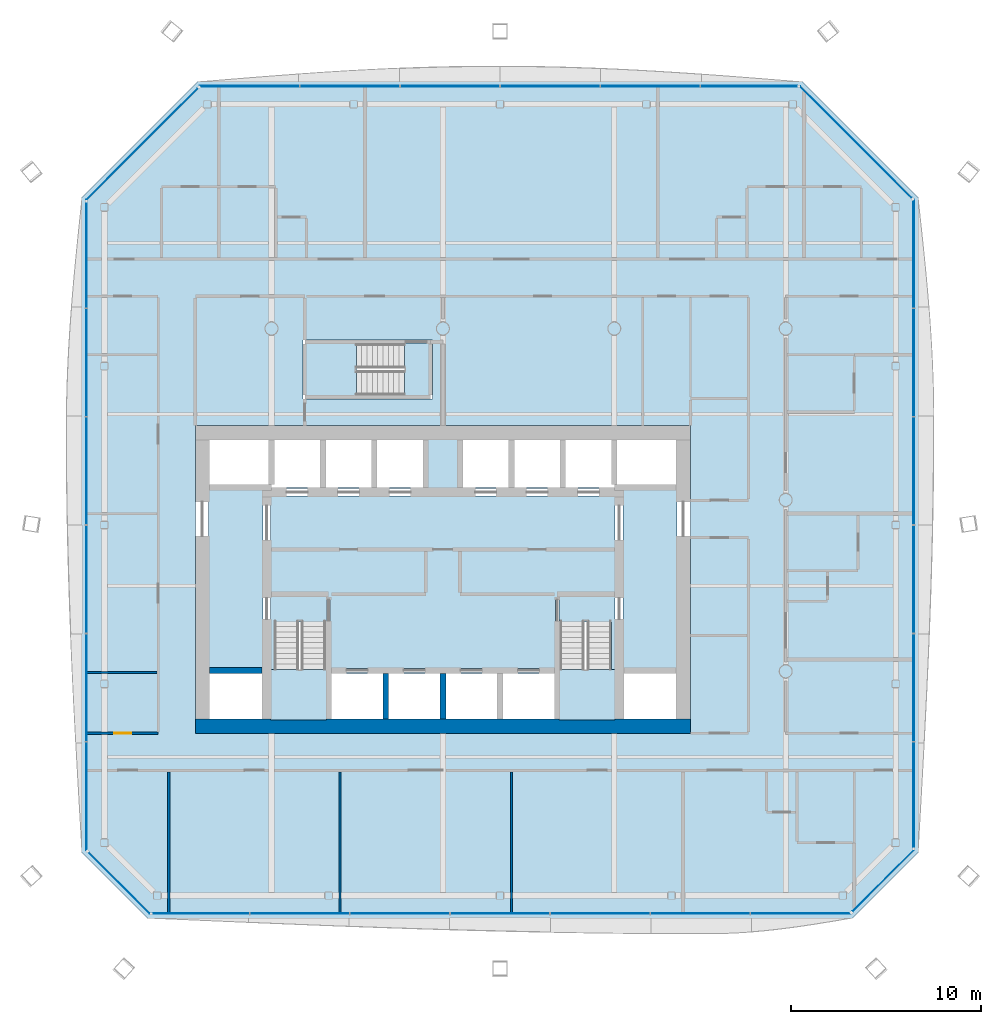
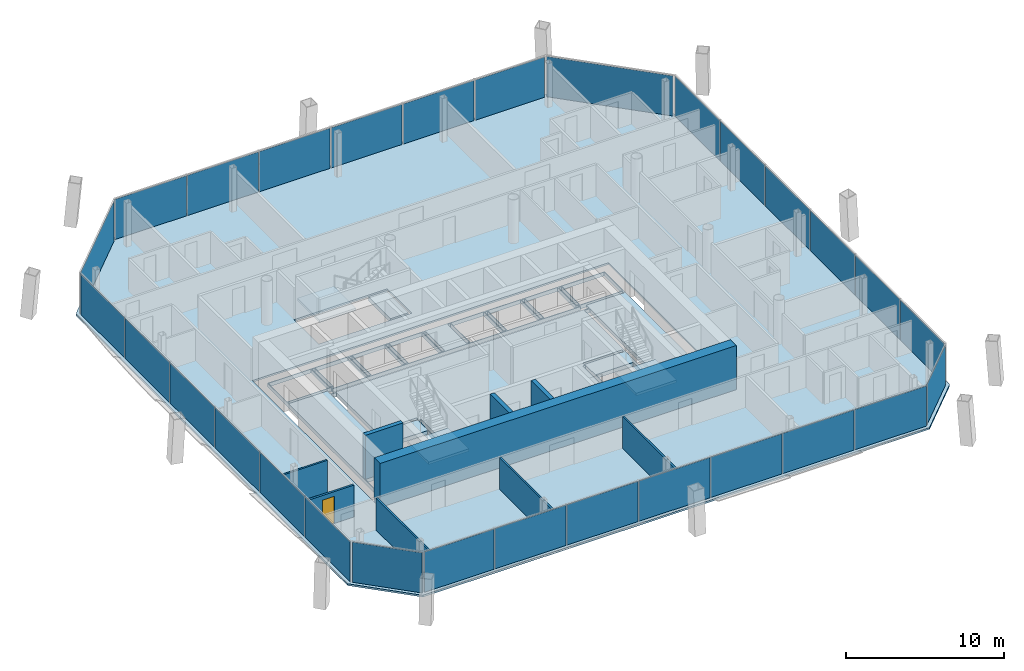
# One storey, part 11 of 18: 29 plates, 9 walls, 6 slabs, 1 door, 1 opening, 11 elements without a shape of their own.
"""IFC4 building model written with IfcOpenShell, lengths in metres."""

from ifc_helpers import new_model, si_unit, direction, frame, frame_2d, origin, origin_2d, place, context, subcontext, project, spatial, polyline, rectangle, outline, extrude, material, layer, layer_set, type_object, element, fill, aggregate, save


model = new_model("IFC4")

# Units and contexts
model_context = context("Model", 3, precision=1e-05, world=origin(), true_north=direction((0.0, 1.0)))
body_context = subcontext(model_context, "Body", "Model", "MODEL_VIEW")
ifc_project = project(units=[si_unit("LENGTHUNIT", "METRE"), si_unit("AREAUNIT", "SQUARE_METRE"), si_unit("VOLUMEUNIT", "CUBIC_METRE"), si_unit("PLANEANGLEUNIT", "RADIAN"), si_unit("MASSUNIT", "GRAM", prefix="KILO")], contexts=[model_context])

# Site, building, storey
site_placement = place(None, origin())
site = spatial("IfcSite", under=ifc_project, at=site_placement, CompositionType="ELEMENT")
building_placement = place(site_placement, origin())
building = spatial("IfcBuilding", under=site, at=building_placement, Name="Tskaro Facet Tower", CompositionType="ELEMENT")
storey_placement = place(building_placement, frame((0.0, 0.0, 155.5)))
storey = spatial("IfcBuildingStorey", under=building, at=storey_placement, Name="L38", CompositionType="ELEMENT", Elevation=155.5)

# Slab
ifc_material_1 = material(Name="Concrete C30/37", Category="concrete")
ifc_layer_1 = layer(ifc_material_1, 0.139892578125, Name="Concrete C30/37")
ifc_layer_set_1 = layer_set([ifc_layer_1], Name="Concrete C30/37")
slab_type_1 = type_object("IfcSlabType", Name="Composite deck floor slab", PredefinedType="FLOOR", material=ifc_layer_set_1)
slab_1_placement = place(storey_placement, frame((0.0, 0.0, -0.139892578125)))
element("IfcSlab", 1, at=slab_1_placement, inside=storey, type_object=slab_type_1, Name="Floor slab FS3 L38", PredefinedType="FLOOR", context=body_context, shape_type="SweptSolid", body=[
    extrude(outline(polyline([(-15.49609375, -21.97412109375), (21.49609375, -21.97412109375), (24.97412109375, -18.49609375), (24.97412109375, 15.864990234375), (18.864990234375, 21.97412109375), (-12.864990234375, 21.97412109375), (-18.97412109375, 15.864990234375), (-18.97412109375, -18.49609375), (-15.49609375, -21.97412109375)]), holes=[polyline([(-13.0, -12.25), (13.0, -12.25), (13.0, 3.89990234375), (-13.0, 3.89990234375), (-13.0, -12.25)]), polyline([(-7.35009765625, 5.300048828125), (-0.550048828125, 5.300048828125), (-0.550048828125, 8.39990234375), (-7.35009765625, 8.39990234375), (-7.35009765625, 5.300048828125)])]), origin(), (0.0, 0.0, 1.0), 0.139892578125),
])

# Curtain wall, plates
ifc_material_2 = material(Name="Bronze anodised aluminium 6063-T6", Category="aluminium")
curtain_wall_type = type_object("IfcCurtainWallType", Name="Bronze hotel curtain wall (FW2)", PredefinedType="NOTDEFINED", material=ifc_material_2)
curtain_wall_1_placement = place(storey_placement, origin())
curtain_wall_1 = element("IfcCurtainWall", 2, at=curtain_wall_1_placement, inside=storey, type_object=curtain_wall_type, Name="FW2 south facet L38", PredefinedType="NOTDEFINED")
ifc_material_3 = material(Name="Bronze solar control glass", Category="glass")
ifc_layer_2 = layer(ifc_material_3, 0.030029296875, Name="Bronze solar control glass")
ifc_layer_set_2 = layer_set([ifc_layer_2], Name="Bronze solar control glass")
plate_type = type_object("IfcPlateType", Name="FW2 bronze-tinted unit glazing 30", PredefinedType="CURTAIN_PANEL", material=ifc_layer_set_2)
plate_1_placement = place(storey_placement, frame((-12.70458984375, -21.72412109375, 0.0), z_axis=(0.0, 0.0, 1.0), x_axis=(1.0, 0.0, 0.0)))
plate_1 = element("IfcPlate", 3, at=plate_1_placement, type_object=plate_type, Name="FW2 south glazing 1.1", PredefinedType="CURTAIN_PANEL", context=body_context, shape_type="SweptSolid", body=[
    extrude(rectangle(XDim=5.074951171875, YDim=0.030029296875, at=origin_2d()), origin(), (0.0, 0.0, 1.0), 3.10009765625),
])
plate_2_placement = place(storey_placement, frame((-7.509765625, -21.72412109375, 0.0), z_axis=(0.0, 0.0, 1.0), x_axis=(1.0, 0.0, 0.0)))
plate_2 = element("IfcPlate", 4, at=plate_2_placement, type_object=plate_type, Name="FW2 south glazing 2.1", PredefinedType="CURTAIN_PANEL", context=body_context, shape_type="SweptSolid", body=[
    extrude(rectangle(XDim=5.19482421875, YDim=0.030029296875, at=origin_2d()), origin(), (0.0, 0.0, 1.0), 3.10009765625),
])
plate_3_placement = place(storey_placement, frame((-2.2548828125, -21.72412109375, 0.0), z_axis=(0.0, 0.0, 1.0), x_axis=(1.0, 0.0, 0.0)))
plate_3 = element("IfcPlate", 5, at=plate_3_placement, type_object=plate_type, Name="FW2 south glazing 3.1", PredefinedType="CURTAIN_PANEL", context=body_context, shape_type="SweptSolid", body=[
    extrude(rectangle(XDim=5.19482421875, YDim=0.030029296875, at=origin_2d()), origin(), (0.0, 0.0, 1.0), 3.10009765625),
])
plate_4_placement = place(storey_placement, frame((3.0, -21.72412109375, 0.0), z_axis=(0.0, 0.0, 1.0), x_axis=(1.0, 0.0, 0.0)))
plate_4 = element("IfcPlate", 6, at=plate_4_placement, type_object=plate_type, Name="FW2 south glazing 4.1", PredefinedType="CURTAIN_PANEL", context=body_context, shape_type="SweptSolid", body=[
    extrude(rectangle(XDim=5.19482421875, YDim=0.030029296875, at=origin_2d()), origin(), (0.0, 0.0, 1.0), 3.10009765625),
])
plate_5_placement = place(storey_placement, frame((8.2548828125, -21.72412109375, 0.0), z_axis=(0.0, 0.0, 1.0), x_axis=(1.0, 0.0, 0.0)))
plate_5 = element("IfcPlate", 7, at=plate_5_placement, type_object=plate_type, Name="FW2 south glazing 5.1", PredefinedType="CURTAIN_PANEL", context=body_context, shape_type="SweptSolid", body=[
    extrude(rectangle(XDim=5.19482421875, YDim=0.030029296875, at=origin_2d()), origin(), (0.0, 0.0, 1.0), 3.10009765625),
])
plate_6_placement = place(storey_placement, frame((13.509765625, -21.72412109375, 0.0), z_axis=(0.0, 0.0, 1.0), x_axis=(1.0, 0.0, 0.0)))
plate_6 = element("IfcPlate", 8, at=plate_6_placement, type_object=plate_type, Name="FW2 south glazing 6.1", PredefinedType="CURTAIN_PANEL", context=body_context, shape_type="SweptSolid", body=[
    extrude(rectangle(XDim=5.19482421875, YDim=0.030029296875, at=origin_2d()), origin(), (0.0, 0.0, 1.0), 3.10009765625),
])
plate_7_placement = place(storey_placement, frame((18.779541015625, -21.72412109375, 0.0), z_axis=(0.0, 0.0, 1.0), x_axis=(1.0, 0.0, 0.0)))
plate_7 = element("IfcPlate", 9, at=plate_7_placement, type_object=plate_type, Name="FW2 south glazing 7.1", PredefinedType="CURTAIN_PANEL", context=body_context, shape_type="SweptSolid", body=[
    extrude(rectangle(XDim=5.224853515625, YDim=0.030029296875, at=origin_2d()), origin(), (0.0, 0.0, 1.0), 3.10009765625),
])
aggregate(curtain_wall_1, [plate_1, plate_2, plate_3, plate_4, plate_5, plate_6, plate_7])

# Curtain wall, plate
curtain_wall_2_placement = place(storey_placement, origin())
curtain_wall_2 = element("IfcCurtainWall", 10, at=curtain_wall_2_placement, inside=storey, type_object=curtain_wall_type, Name="FW2 south-east facet L38", PredefinedType="NOTDEFINED")
plate_8_placement = place(storey_placement, frame((23.111083984375, -20.0048828125, 0.0), z_axis=(0.0, 0.0, 1.0), x_axis=(0.707106781187, 0.707106781187, 0.0)))
plate_8 = element("IfcPlate", 11, at=plate_8_placement, type_object=plate_type, Name="FW2 south-east glazing 1.1", PredefinedType="CURTAIN_PANEL", context=body_context, shape_type="SweptSolid", body=[
    extrude(rectangle(XDim=4.562255859375, YDim=0.030029296875, at=origin_2d()), origin(), (0.0, 0.0, 1.0), 3.10009765625),
])
aggregate(curtain_wall_2, [plate_8])

# Curtain wall, plates
curtain_wall_3_placement = place(storey_placement, origin())
curtain_wall_3 = element("IfcCurtainWall", 12, at=curtain_wall_3_placement, inside=storey, type_object=curtain_wall_type, Name="FW2 east facet L38", PredefinedType="NOTDEFINED")
plate_9_placement = place(storey_placement, frame((24.72412109375, -15.48583984375, 0.0), z_axis=(0.0, 0.0, 1.0), x_axis=(0.0, 1.0, 0.0)))
plate_9 = element("IfcPlate", 13, at=plate_9_placement, type_object=plate_type, Name="FW2 east glazing 1.1", PredefinedType="CURTAIN_PANEL", context=body_context, shape_type="SweptSolid", body=[
    extrude(rectangle(XDim=5.51220703125, YDim=0.030029296875, at=origin_2d()), origin(), (0.0, 0.0, 1.0), 3.10009765625),
])
plate_10_placement = place(storey_placement, frame((24.72412109375, -9.853759765625, 0.0), z_axis=(0.0, 0.0, 1.0), x_axis=(0.0, 1.0, 0.0)))
plate_10 = element("IfcPlate", 14, at=plate_10_placement, type_object=plate_type, Name="FW2 east glazing 2.1", PredefinedType="CURTAIN_PANEL", context=body_context, shape_type="SweptSolid", body=[
    extrude(rectangle(XDim=5.632080078125, YDim=0.030029296875, at=origin_2d()), origin(), (0.0, 0.0, 1.0), 3.10009765625),
])
plate_11_placement = place(storey_placement, frame((24.72412109375, -4.16162109375, 0.0), z_axis=(0.0, 0.0, 1.0), x_axis=(0.0, 1.0, 0.0)))
plate_11 = element("IfcPlate", 15, at=plate_11_placement, type_object=plate_type, Name="FW2 east glazing 3.1", PredefinedType="CURTAIN_PANEL", context=body_context, shape_type="SweptSolid", body=[
    extrude(rectangle(XDim=5.632080078125, YDim=0.030029296875, at=origin_2d()), origin(), (0.0, 0.0, 1.0), 3.10009765625),
])
plate_12_placement = place(storey_placement, frame((24.72412109375, 1.530517578125, 0.0), z_axis=(0.0, 0.0, 1.0), x_axis=(0.0, 1.0, 0.0)))
plate_12 = element("IfcPlate", 16, at=plate_12_placement, type_object=plate_type, Name="FW2 east glazing 4.1", PredefinedType="CURTAIN_PANEL", context=body_context, shape_type="SweptSolid", body=[
    extrude(rectangle(XDim=5.632080078125, YDim=0.030029296875, at=origin_2d()), origin(), (0.0, 0.0, 1.0), 3.10009765625),
])
plate_13_placement = place(storey_placement, frame((24.72412109375, 7.22265625, 0.0), z_axis=(0.0, 0.0, 1.0), x_axis=(0.0, 1.0, 0.0)))
plate_13 = element("IfcPlate", 17, at=plate_13_placement, type_object=plate_type, Name="FW2 east glazing 5.1", PredefinedType="CURTAIN_PANEL", context=body_context, shape_type="SweptSolid", body=[
    extrude(rectangle(XDim=5.632080078125, YDim=0.030029296875, at=origin_2d()), origin(), (0.0, 0.0, 1.0), 3.10009765625),
])
plate_14_placement = place(storey_placement, frame((24.72412109375, 12.929931640625, 0.0), z_axis=(0.0, 0.0, 1.0), x_axis=(0.0, 1.0, 0.0)))
plate_14 = element("IfcPlate", 18, at=plate_14_placement, type_object=plate_type, Name="FW2 east glazing 6.1", PredefinedType="CURTAIN_PANEL", context=body_context, shape_type="SweptSolid", body=[
    extrude(rectangle(XDim=5.662109375, YDim=0.030029296875, at=origin_2d()), origin(), (0.0, 0.0, 1.0), 3.10009765625),
])
aggregate(curtain_wall_3, [plate_9, plate_10, plate_11, plate_12, plate_13, plate_14])

# Curtain wall, plate
curtain_wall_4_placement = place(storey_placement, origin())
curtain_wall_4 = element("IfcCurtainWall", 19, at=curtain_wall_4_placement, inside=storey, type_object=curtain_wall_type, Name="FW2 north-east facet L38", PredefinedType="NOTDEFINED")
plate_15_placement = place(storey_placement, frame((21.689453125, 18.795654296875, 0.0), z_axis=(0.0, 0.0, 1.0), x_axis=(-0.707106781187, 0.707106781187, 0.0)))
plate_15 = element("IfcPlate", 20, at=plate_15_placement, type_object=plate_type, Name="FW2 north-east glazing 1.1", PredefinedType="CURTAIN_PANEL", context=body_context, shape_type="SweptSolid", body=[
    extrude(rectangle(XDim=8.282958984375, YDim=0.030029296875, at=origin_2d()), origin(), (0.0, 0.0, 1.0), 3.10009765625),
])
aggregate(curtain_wall_4, [plate_15])

# Curtain wall, plates
curtain_wall_5_placement = place(storey_placement, origin())
curtain_wall_5 = element("IfcCurtainWall", 21, at=curtain_wall_5_placement, inside=storey, type_object=curtain_wall_type, Name="FW2 north facet L38", PredefinedType="NOTDEFINED")
plate_16_placement = place(storey_placement, frame((16.07421875, 21.72412109375, 0.0), z_axis=(0.0, 0.0, 1.0), x_axis=(-1.0, 0.0, 0.0)))
plate_16 = element("IfcPlate", 22, at=plate_16_placement, type_object=plate_type, Name="FW2 north glazing 1.1", PredefinedType="CURTAIN_PANEL", context=body_context, shape_type="SweptSolid", body=[
    extrude(rectangle(XDim=5.07373046875, YDim=0.030029296875, at=origin_2d()), origin(), (0.0, 0.0, 1.0), 3.10009765625),
])
plate_17_placement = place(storey_placement, frame((10.880615234375, 21.72412109375, 0.0), z_axis=(0.0, 0.0, 1.0), x_axis=(-1.0, 0.0, 0.0)))
plate_17 = element("IfcPlate", 23, at=plate_17_placement, type_object=plate_type, Name="FW2 north glazing 2.1", PredefinedType="CURTAIN_PANEL", context=body_context, shape_type="SweptSolid", body=[
    extrude(rectangle(XDim=5.193603515625, YDim=0.030029296875, at=origin_2d()), origin(), (0.0, 0.0, 1.0), 3.10009765625),
])
plate_18_placement = place(storey_placement, frame((5.626953125, 21.72412109375, 0.0), z_axis=(0.0, 0.0, 1.0), x_axis=(-1.0, 0.0, 0.0)))
plate_18 = element("IfcPlate", 24, at=plate_18_placement, type_object=plate_type, Name="FW2 north glazing 3.1", PredefinedType="CURTAIN_PANEL", context=body_context, shape_type="SweptSolid", body=[
    extrude(rectangle(XDim=5.193603515625, YDim=0.030029296875, at=origin_2d()), origin(), (0.0, 0.0, 1.0), 3.10009765625),
])
plate_19_placement = place(storey_placement, frame((0.373046875, 21.72412109375, 0.0), z_axis=(0.0, 0.0, 1.0), x_axis=(-1.0, 0.0, 0.0)))
plate_19 = element("IfcPlate", 25, at=plate_19_placement, type_object=plate_type, Name="FW2 north glazing 4.1", PredefinedType="CURTAIN_PANEL", context=body_context, shape_type="SweptSolid", body=[
    extrude(rectangle(XDim=5.193603515625, YDim=0.030029296875, at=origin_2d()), origin(), (0.0, 0.0, 1.0), 3.10009765625),
])
plate_20_placement = place(storey_placement, frame((-4.880615234375, 21.72412109375, 0.0), z_axis=(0.0, 0.0, 1.0), x_axis=(-1.0, 0.0, 0.0)))
plate_20 = element("IfcPlate", 26, at=plate_20_placement, type_object=plate_type, Name="FW2 north glazing 5.1", PredefinedType="CURTAIN_PANEL", context=body_context, shape_type="SweptSolid", body=[
    extrude(rectangle(XDim=5.193603515625, YDim=0.030029296875, at=origin_2d()), origin(), (0.0, 0.0, 1.0), 3.10009765625),
])
plate_21_placement = place(storey_placement, frame((-10.149169921875, 21.72412109375, 0.0), z_axis=(0.0, 0.0, 1.0), x_axis=(-1.0, 0.0, 0.0)))
plate_21 = element("IfcPlate", 27, at=plate_21_placement, type_object=plate_type, Name="FW2 north glazing 6.1", PredefinedType="CURTAIN_PANEL", context=body_context, shape_type="SweptSolid", body=[
    extrude(rectangle(XDim=5.2236328125, YDim=0.030029296875, at=origin_2d()), origin(), (0.0, 0.0, 1.0), 3.10009765625),
])
aggregate(curtain_wall_5, [plate_16, plate_17, plate_18, plate_19, plate_20, plate_21])

# Curtain wall, plate
curtain_wall_6_placement = place(storey_placement, origin())
curtain_wall_6 = element("IfcCurtainWall", 28, at=curtain_wall_6_placement, inside=storey, type_object=curtain_wall_type, Name="FW2 north-west facet L38", PredefinedType="NOTDEFINED")
plate_22_placement = place(storey_placement, frame((-15.795654296875, 18.689453125, 0.0), z_axis=(0.0, 0.0, 1.0), x_axis=(-0.707106781187, -0.707106781187, 0.0)))
plate_22 = element("IfcPlate", 29, at=plate_22_placement, type_object=plate_type, Name="FW2 north-west glazing 1.1", PredefinedType="CURTAIN_PANEL", context=body_context, shape_type="SweptSolid", body=[
    extrude(rectangle(XDim=8.282958984375, YDim=0.030029296875, at=origin_2d()), origin(), (0.0, 0.0, 1.0), 3.10009765625),
])
aggregate(curtain_wall_6, [plate_22])

# Curtain wall, plates
curtain_wall_7_placement = place(storey_placement, origin())
curtain_wall_7 = element("IfcCurtainWall", 30, at=curtain_wall_7_placement, inside=storey, type_object=curtain_wall_type, Name="FW2 west facet L38", PredefinedType="NOTDEFINED")
plate_23_placement = place(storey_placement, frame((-18.72412109375, 12.85498046875, 0.0), z_axis=(0.0, 0.0, 1.0), x_axis=(0.0, -1.0, 0.0)))
plate_23 = element("IfcPlate", 31, at=plate_23_placement, type_object=plate_type, Name="FW2 west glazing 1.1", PredefinedType="CURTAIN_PANEL", context=body_context, shape_type="SweptSolid", body=[
    extrude(rectangle(XDim=5.51220703125, YDim=0.030029296875, at=origin_2d()), origin(), (0.0, 0.0, 1.0), 3.10009765625),
])
plate_24_placement = place(storey_placement, frame((-18.72412109375, 7.22265625, 0.0), z_axis=(0.0, 0.0, 1.0), x_axis=(0.0, -1.0, 0.0)))
plate_24 = element("IfcPlate", 32, at=plate_24_placement, type_object=plate_type, Name="FW2 west glazing 2.1", PredefinedType="CURTAIN_PANEL", context=body_context, shape_type="SweptSolid", body=[
    extrude(rectangle(XDim=5.632080078125, YDim=0.030029296875, at=origin_2d()), origin(), (0.0, 0.0, 1.0), 3.10009765625),
])
plate_25_placement = place(storey_placement, frame((-18.72412109375, 1.530517578125, 0.0), z_axis=(0.0, 0.0, 1.0), x_axis=(0.0, -1.0, 0.0)))
plate_25 = element("IfcPlate", 33, at=plate_25_placement, type_object=plate_type, Name="FW2 west glazing 3.1", PredefinedType="CURTAIN_PANEL", context=body_context, shape_type="SweptSolid", body=[
    extrude(rectangle(XDim=5.632080078125, YDim=0.030029296875, at=origin_2d()), origin(), (0.0, 0.0, 1.0), 3.10009765625),
])
plate_26_placement = place(storey_placement, frame((-18.72412109375, -4.16162109375, 0.0), z_axis=(0.0, 0.0, 1.0), x_axis=(0.0, -1.0, 0.0)))
plate_26 = element("IfcPlate", 34, at=plate_26_placement, type_object=plate_type, Name="FW2 west glazing 4.1", PredefinedType="CURTAIN_PANEL", context=body_context, shape_type="SweptSolid", body=[
    extrude(rectangle(XDim=5.632080078125, YDim=0.030029296875, at=origin_2d()), origin(), (0.0, 0.0, 1.0), 3.10009765625),
])
plate_27_placement = place(storey_placement, frame((-18.72412109375, -9.853759765625, 0.0), z_axis=(0.0, 0.0, 1.0), x_axis=(0.0, -1.0, 0.0)))
plate_27 = element("IfcPlate", 35, at=plate_27_placement, type_object=plate_type, Name="FW2 west glazing 5.1", PredefinedType="CURTAIN_PANEL", context=body_context, shape_type="SweptSolid", body=[
    extrude(rectangle(XDim=5.632080078125, YDim=0.030029296875, at=origin_2d()), origin(), (0.0, 0.0, 1.0), 3.10009765625),
])
plate_28_placement = place(storey_placement, frame((-18.72412109375, -15.56103515625, 0.0), z_axis=(0.0, 0.0, 1.0), x_axis=(0.0, -1.0, 0.0)))
plate_28 = element("IfcPlate", 36, at=plate_28_placement, type_object=plate_type, Name="FW2 west glazing 6.1", PredefinedType="CURTAIN_PANEL", context=body_context, shape_type="SweptSolid", body=[
    extrude(rectangle(XDim=5.662109375, YDim=0.030029296875, at=origin_2d()), origin(), (0.0, 0.0, 1.0), 3.10009765625),
])
aggregate(curtain_wall_7, [plate_23, plate_24, plate_25, plate_26, plate_27, plate_28])

# Curtain wall, plate
curtain_wall_8_placement = place(storey_placement, origin())
curtain_wall_8 = element("IfcCurtainWall", 37, at=curtain_wall_8_placement, inside=storey, type_object=curtain_wall_type, Name="FW2 south-west facet L38", PredefinedType="NOTDEFINED")
plate_29_placement = place(storey_placement, frame((-17.0048828125, -20.111083984375, 0.0), z_axis=(0.0, 0.0, 1.0), x_axis=(0.707106781187, -0.707106781187, 0.0)))
plate_29 = element("IfcPlate", 38, at=plate_29_placement, type_object=plate_type, Name="FW2 south-west glazing 1.1", PredefinedType="CURTAIN_PANEL", context=body_context, shape_type="SweptSolid", body=[
    extrude(rectangle(XDim=4.562255859375, YDim=0.030029296875, at=origin_2d()), origin(), (0.0, 0.0, 1.0), 3.10009765625),
])
aggregate(curtain_wall_8, [plate_29])

# Stair, slab
ifc_material_4 = material(Name="Concrete C40/50", Category="concrete")
stair_type = type_object("IfcStairType", Name="ST-TWR", PredefinedType="HALF_TURN_STAIR", material=ifc_material_4)
stair_1_placement = place(storey_placement, origin())
stair_1 = element("IfcStair", 39, at=stair_1_placement, inside=storey, type_object=stair_type, Name="L38 Exit stair 1", PredefinedType="HALF_TURN_STAIR")
ifc_layer_3 = layer(ifc_material_4, 0.199951171875, Name="Concrete C40/50")
ifc_layer_set_3 = layer_set([ifc_layer_3], Name="Concrete C40/50")
slab_type_2 = type_object("IfcSlabType", Name="SL-LANDING", PredefinedType="LANDING", material=ifc_layer_set_3)
slab_2_placement = place(storey_placement, frame((0.0, 0.0, 1.5)))
slab_2 = element("IfcSlab", 40, at=slab_2_placement, type_object=slab_type_2, Name="ST-1 landing 1", PredefinedType="LANDING", context=body_context, shape_type="SweptSolid", body=[
    extrude(outline(polyline([(-9.050048828125, -11.550048828125), (-6.10009765625, -11.550048828125), (-6.10009765625, -8.89501953125), (-9.050048828125, -8.89501953125), (-9.050048828125, -11.550048828125)])), origin(), (0.0, 0.0, 1.0), 0.199951171875),
])
aggregate(stair_1, [slab_2])

stair_2_placement = place(storey_placement, origin())
stair_2 = element("IfcStair", 41, at=stair_2_placement, inside=storey, type_object=stair_type, Name="L38 Exit stair 2", PredefinedType="HALF_TURN_STAIR")
slab_3_placement = place(storey_placement, frame((0.0, 0.0, 1.5)))
slab_3 = element("IfcSlab", 42, at=slab_3_placement, type_object=slab_type_2, Name="ST-2 landing 1", PredefinedType="LANDING", context=body_context, shape_type="SweptSolid", body=[
    extrude(outline(polyline([(6.10009765625, -11.550048828125), (9.050048828125, -11.550048828125), (9.050048828125, -8.89501953125), (6.10009765625, -8.89501953125), (6.10009765625, -11.550048828125)])), origin(), (0.0, 0.0, 1.0), 0.199951171875),
])
aggregate(stair_2, [slab_3])

stair_3_placement = place(storey_placement, origin())
stair_3 = element("IfcStair", 43, at=stair_3_placement, inside=storey, type_object=stair_type, Name="L38 Exit stair 3", PredefinedType="HALF_TURN_STAIR")
slab_4_placement = place(storey_placement, frame((0.0, 0.0, 1.5)))
slab_4 = element("IfcSlab", 44, at=slab_4_placement, type_object=slab_type_2, Name="ST-3 landing 1", PredefinedType="LANDING", context=body_context, shape_type="SweptSolid", body=[
    extrude(outline(polyline([(-7.199951171875, 5.449951171875), (-4.544921875, 5.449951171875), (-4.544921875, 8.25), (-7.199951171875, 8.25), (-7.199951171875, 5.449951171875)])), origin(), (0.0, 0.0, 1.0), 0.199951171875),
])
aggregate(stair_3, [slab_4])

# Slabs
ifc_material_5 = material(Name="Concrete C60/75", Category="concrete")
ifc_layer_4 = layer(ifc_material_5, 0.300048828125, Name="Concrete C60/75")
ifc_layer_set_4 = layer_set([ifc_layer_4], Name="Concrete C60/75")
slab_type_3 = type_object("IfcSlabType", Name="SLAB-CORE", PredefinedType="FLOOR", material=ifc_layer_set_4)
slab_5_placement = place(storey_placement, frame((0.0, 0.0, -0.300048828125)))
element("IfcSlab", 45, at=slab_5_placement, inside=storey, type_object=slab_type_3, Name="Core floor slab 1", PredefinedType="FLOOR", context=body_context, shape_type="SweptSolid", body=[
    extrude(outline(polyline([(-12.300048828125, 3.199951171875), (12.300048828125, 3.199951171875), (12.300048828125, 3.10009765625), (12.300048828125, -11.449951171875), (12.300048828125, -11.550048828125), (-12.300048828125, -11.550048828125), (-12.300048828125, -11.449951171875), (-12.300048828125, 3.10009765625), (-12.300048828125, 3.199951171875)]), holes=[polyline([(-9.5, -9.10009765625), (-12.25, -9.10009765625), (-12.25, -11.5), (-9.5, -11.5), (-9.5, -9.10009765625)]), polyline([(-5.85009765625, -9.10009765625), (-5.85009765625, -11.5), (-3.14990234375, -11.5), (-3.14990234375, -9.10009765625), (-5.85009765625, -9.10009765625)]), polyline([(-12.199951171875, -9.050048828125), (-9.550048828125, -9.050048828125), (-9.550048828125, -8.85009765625), (-12.199951171875, -8.85009765625), (-12.199951171875, -9.050048828125)]), polyline([(-6.10009765625, -5.14990234375), (-6.10009765625, -11.449951171875), (-5.89990234375, -11.449951171875), (-5.89990234375, -5.14990234375), (-6.10009765625, -5.14990234375)]), polyline([(-9.449951171875, 0.10009765625), (-9.449951171875, -11.449951171875), (-9.050048828125, -11.449951171875), (-9.050048828125, 0.10009765625), (-9.449951171875, 0.10009765625)]), polyline([(-8.949951171875, -5.050048828125), (-6.050048828125, -5.050048828125), (-6.050048828125, -4.85009765625), (-8.949951171875, -4.85009765625), (-8.949951171875, -5.050048828125)]), polyline([(9.449951171875, 0.199951171875), (9.449951171875, 0.550048828125), (12.199951171875, 0.550048828125), (12.199951171875, 0.75), (9.050048828125, 0.75), (9.050048828125, 0.60009765625), (-9.050048828125, 0.60009765625), (-9.050048828125, 0.75), (-12.199951171875, 0.75), (-12.199951171875, 0.550048828125), (-9.449951171875, 0.550048828125), (-9.449951171875, 0.199951171875), (9.449951171875, 0.199951171875)]), polyline([(-8.85009765625, 0.800048828125), (-9.0, 0.800048828125), (-9.0, 0.64990234375), (-6.449951171875, 0.64990234375), (-6.449951171875, 3.14990234375), (-8.85009765625, 3.14990234375), (-8.85009765625, 0.800048828125)]), polyline([(-6.14990234375, 0.64990234375), (-3.75, 0.64990234375), (-3.75, 3.14990234375), (-6.14990234375, 3.14990234375), (-6.14990234375, 0.64990234375)]), polyline([(-6.39990234375, 3.10009765625), (-6.39990234375, 0.699951171875), (-6.199951171875, 0.699951171875), (-6.199951171875, 3.10009765625), (-6.39990234375, 3.10009765625)]), polyline([(-9.14990234375, 3.14990234375), (-12.25, 3.14990234375), (-12.25, 0.800048828125), (-9.14990234375, 0.800048828125), (-9.14990234375, 3.14990234375)]), polyline([(-9.10009765625, 0.85009765625), (-8.89990234375, 0.85009765625), (-8.89990234375, 3.10009765625), (-9.10009765625, 3.10009765625), (-9.10009765625, 0.85009765625)]), polyline([(-3.10009765625, -11.449951171875), (-2.89990234375, -11.449951171875), (-2.89990234375, -9.14990234375), (-3.10009765625, -9.14990234375), (-3.10009765625, -11.449951171875)]), polyline([(-0.14990234375, -9.10009765625), (-2.85009765625, -9.10009765625), (-2.85009765625, -11.5), (-0.14990234375, -11.5), (-0.14990234375, -9.10009765625)]), polyline([(-0.10009765625, -9.14990234375), (-0.10009765625, -11.449951171875), (0.10009765625, -11.449951171875), (0.10009765625, -9.14990234375), (-0.10009765625, -9.14990234375)]), polyline([(0.14990234375, -9.10009765625), (0.14990234375, -11.5), (2.85009765625, -11.5), (2.85009765625, -9.10009765625), (0.14990234375, -9.10009765625)]), polyline([(-5.800048828125, -8.85009765625), (-5.800048828125, -9.050048828125), (5.800048828125, -9.050048828125), (5.800048828125, -8.85009765625), (-5.800048828125, -8.85009765625)]), polyline([(-1.050048828125, 0.64990234375), (-1.050048828125, 3.14990234375), (-3.449951171875, 3.14990234375), (-3.449951171875, 0.64990234375), (-1.050048828125, 0.64990234375)]), polyline([(3.449951171875, 0.64990234375), (3.449951171875, 3.14990234375), (1.050048828125, 3.14990234375), (1.050048828125, 0.64990234375), (3.449951171875, 0.64990234375)]), polyline([(-3.699951171875, 0.699951171875), (-3.5, 0.699951171875), (-3.5, 3.10009765625), (-3.699951171875, 3.10009765625), (-3.699951171875, 0.699951171875)]), polyline([(-1.0, 3.10009765625), (-1.0, 0.699951171875), (-0.800048828125, 0.699951171875), (-0.800048828125, 3.10009765625), (-1.0, 3.10009765625)]), polyline([(0.800048828125, 3.10009765625), (0.800048828125, 0.699951171875), (1.0, 0.699951171875), (1.0, 3.10009765625), (0.800048828125, 3.10009765625)]), polyline([(2.89990234375, -11.449951171875), (3.10009765625, -11.449951171875), (3.10009765625, -9.14990234375), (2.89990234375, -9.14990234375), (2.89990234375, -11.449951171875)]), polyline([(5.85009765625, -9.10009765625), (3.14990234375, -9.10009765625), (3.14990234375, -11.5), (5.85009765625, -11.5), (5.85009765625, -9.10009765625)]), polyline([(12.25, -11.5), (12.25, -9.10009765625), (9.5, -9.10009765625), (9.5, -11.5), (12.25, -11.5)]), polyline([(9.550048828125, -9.050048828125), (12.199951171875, -9.050048828125), (12.199951171875, -8.85009765625), (9.550048828125, -8.85009765625), (9.550048828125, -9.050048828125)]), polyline([(5.89990234375, -5.14990234375), (5.89990234375, -11.449951171875), (6.10009765625, -11.449951171875), (6.10009765625, -5.14990234375), (5.89990234375, -5.14990234375)]), polyline([(9.050048828125, 0.10009765625), (9.050048828125, -11.449951171875), (9.449951171875, -11.449951171875), (9.449951171875, 0.10009765625), (9.050048828125, 0.10009765625)]), polyline([(6.050048828125, -5.050048828125), (8.949951171875, -5.050048828125), (8.949951171875, -4.85009765625), (6.050048828125, -4.85009765625), (6.050048828125, -5.050048828125)]), polyline([(6.14990234375, 0.64990234375), (6.14990234375, 3.14990234375), (3.75, 3.14990234375), (3.75, 0.64990234375), (6.14990234375, 0.64990234375)]), polyline([(9.0, 0.800048828125), (8.85009765625, 0.800048828125), (8.85009765625, 3.14990234375), (6.449951171875, 3.14990234375), (6.449951171875, 0.64990234375), (9.0, 0.64990234375), (9.0, 0.800048828125)]), polyline([(3.5, 3.10009765625), (3.5, 0.699951171875), (3.699951171875, 0.699951171875), (3.699951171875, 3.10009765625), (3.5, 3.10009765625)]), polyline([(6.199951171875, 0.699951171875), (6.39990234375, 0.699951171875), (6.39990234375, 3.10009765625), (6.199951171875, 3.10009765625), (6.199951171875, 0.699951171875)]), polyline([(8.89990234375, 3.10009765625), (8.89990234375, 0.85009765625), (9.10009765625, 0.85009765625), (9.10009765625, 3.10009765625), (8.89990234375, 3.10009765625)]), polyline([(9.14990234375, 0.800048828125), (12.25, 0.800048828125), (12.25, 3.14990234375), (9.14990234375, 3.14990234375), (9.14990234375, 0.800048828125)]), polyline([(-8.85009765625, -11.5), (-6.14990234375, -11.5), (-6.14990234375, -6.39501953125), (-8.85009765625, -6.39501953125), (-8.85009765625, -11.5)]), polyline([(6.14990234375, -6.39501953125), (6.14990234375, -11.5), (8.85009765625, -11.5), (8.85009765625, -6.39501953125), (6.14990234375, -6.39501953125)])]), origin(), (0.0, 0.0, 1.0), 0.300048828125),
])
slab_6_placement = place(storey_placement, frame((0.0, 0.0, -0.300048828125)))
element("IfcSlab", 46, at=slab_6_placement, inside=storey, type_object=slab_type_3, Name="Stair 3 floor landing 1", PredefinedType="FLOOR", context=body_context, shape_type="SweptSolid", body=[
    extrude(outline(polyline([(-2.02490234375, 5.449951171875), (-0.699951171875, 5.449951171875), (-0.699951171875, 8.25), (-2.02490234375, 8.25), (-2.02490234375, 5.449951171875)])), origin(), (0.0, 0.0, 1.0), 0.300048828125),
])

# Walls
ifc_layer_5 = layer(ifc_material_5, 0.300048828125, Name="Concrete C60/75")
ifc_layer_set_5 = layer_set([ifc_layer_5], Name="Concrete C60/75")
wall_type_1 = type_object("IfcWallType", Name="CORE-SHAFT", PredefinedType="SHEAR", material=ifc_layer_set_5)
wall_1_placement = place(storey_placement, frame((-12.25, -8.949951171875, 0.0), z_axis=(0.0, 0.0, 1.0), x_axis=(1.0, 0.0, 0.0)))
element("IfcWall", 47, at=wall_1_placement, inside=storey, type_object=wall_type_1, Name="Shaft wall W008", PredefinedType="SHEAR", context=body_context, shape_type="SweptSolid", body=[
    extrude(rectangle(XDim=2.75, YDim=0.300048828125, at=frame_2d((1.375, 0.0))), origin(), (0.0, 0.0, 1.0), 3.39990234375),
])
for number, where, z_axis, x_axis, name in (
    (48, (-3.0, -11.5, 0.0), (0.0, 0.0, 1.0), (0.0, 1.0, 0.0), "Shaft wall W059"),
    (49, (0.0, -11.5, 0.0), (0.0, 0.0, 1.0), (0.0, 1.0, 0.0), "Shaft wall W063"),
):
    element("IfcWall", number, at=place(storey_placement, frame(where, z_axis=z_axis, x_axis=x_axis)), inside=storey, type_object=wall_type_1, Name=name, PredefinedType="SHEAR", context=body_context, shape_type="SweptSolid", body=[
        extrude(rectangle(XDim=2.39990234375, YDim=0.300048828125, at=frame_2d((1.199951171875, 0.0))), origin(), (0.0, 0.0, 1.0), 3.39990234375),
    ])
ifc_material_6 = material(Name="Concrete C50/60", Category="concrete")
ifc_layer_6 = layer(ifc_material_6, 0.75, Name="Concrete C50/60")
ifc_layer_set_6 = layer_set([ifc_layer_6], Name="Concrete C50/60")
wall_type_2 = type_object("IfcWallType", Name="Core wall 750", PredefinedType="SHEAR", material=ifc_layer_set_6)
wall_2_placement = place(storey_placement, frame((-13.0, -11.875, 0.0), z_axis=(0.0, 0.0, 1.0), x_axis=(1.0, 0.0, 0.0)))
element("IfcWall", 50, at=wall_2_placement, inside=storey, type_object=wall_type_2, Name="Core wall CW-Z2S", PredefinedType="SHEAR", context=body_context, shape_type="SweptSolid", body=[
    extrude(rectangle(XDim=26.0, YDim=0.75, at=frame_2d((13.0, 0.0))), origin(), (0.0, 0.0, 1.0), 3.39990234375),
])
ifc_material_7 = material(Name="Gypsum board on steel studs", Category="steel")
ifc_layer_7 = layer(ifc_material_7, 0.125, Name="Gypsum board on steel studs")
ifc_layer_set_7 = layer_set([ifc_layer_7], Name="Gypsum board on steel studs")
wall_type_3 = type_object("IfcWallType", Name="PART", PredefinedType="PARTITIONING", material=ifc_layer_set_7)
wall_3_placement = place(storey_placement, frame((-18.674072265625, -9.056884765625, 0.0), z_axis=(0.0, 0.0, 1.0), x_axis=(1.0, 0.0, 0.0)))
element("IfcWall", 51, at=wall_3_placement, inside=storey, type_object=wall_type_3, Name="Partition W007", PredefinedType="PARTITIONING", context=body_context, shape_type="SweptSolid", body=[
    extrude(rectangle(XDim=3.649169921875, YDim=0.125, at=frame_2d((1.82470703125, 0.0))), origin(), (0.0, 0.0, 1.0), 2.4599609375),
])
for number, where, z_axis, x_axis, name in (
    (52, (-14.39892578125, -21.674072265625, 0.0), (0.0, 0.0, 1.0), (0.0, 1.0, 0.0), "Partition W045"),
    (53, (-5.39990234375, -21.674072265625, 0.0), (0.0, 0.0, 1.0), (0.0, 1.0, 0.0), "Partition W056"),
    (54, (3.60009765625, -21.674072265625, 0.0), (0.0, 0.0, 1.0), (0.0, 1.0, 0.0), "Partition W069"),
):
    element("IfcWall", number, at=place(storey_placement, frame(where, z_axis=z_axis, x_axis=x_axis)), inside=storey, type_object=wall_type_3, Name=name, PredefinedType="PARTITIONING", context=body_context, shape_type="SweptSolid", body=[
        extrude(rectangle(XDim=7.399169921875, YDim=0.125, at=frame_2d((3.69970703125, 0.0))), origin(), (0.0, 0.0, 1.0), 2.4599609375),
    ])

# Wall, opening, door
ifc_layer_8 = layer(ifc_material_7, 0.14990234375, Name="Gypsum board on steel studs")
ifc_layer_set_8 = layer_set([ifc_layer_8], Name="Gypsum board on steel studs")
wall_type_4 = type_object("IfcWallType", Name="PART-CORR", PredefinedType="PARTITIONING", material=ifc_layer_set_8)
wall_4_placement = place(storey_placement, frame((-18.674072265625, -12.25, 0.0), z_axis=(0.0, 0.0, 1.0), x_axis=(1.0, 0.0, 0.0)))
wall_4 = element("IfcWall", 55, at=wall_4_placement, inside=storey, type_object=wall_type_4, Name="Corridor wall W004", PredefinedType="PARTITIONING", context=body_context, shape_type="SweptSolid", body=[
    extrude(rectangle(XDim=3.72412109375, YDim=0.14990234375, at=frame_2d((1.862060546875, 0.0))), origin(), (0.0, 0.0, 1.0), 2.4599609375),
])
opening_placement = place(wall_4_placement, frame((1.412109375, 0.0, 0.0)))
opening = element("IfcOpeningElement", 56, at=opening_placement, cuts=wall_4, Name="Opening T11-D09", PredefinedType="OPENING", context=body_context, shape_type="SweptSolid", body=[
    extrude(rectangle(XDim=0.89990234375, YDim=2.10009765625, at=frame_2d((0.449951171875, 1.050048828125))), frame((0.0, 0.0849609375, 0.0), z_axis=(0.0, -1.0, 0.0), x_axis=(1.0, 0.0, 0.0)), (0.0, 0.0, 1.0), 0.169921875),
])
ifc_material_8 = material(Name="Timber", Category="wood")
door_type = type_object("IfcDoorType", Name="D-ROOM", OperationType="NOTDEFINED", PredefinedType="DOOR", material=ifc_material_8)
door_placement = place(opening_placement, origin())
door = element("IfcDoor", 57, at=door_placement, inside=storey, type_object=door_type, Name="Door T11-D09", OperationType="SINGLE_SWING_LEFT", OverallHeight=2.10009765625, OverallWidth=0.89990234375, PredefinedType="DOOR", context=body_context, shape_type="SweptSolid", body=[
    extrude(rectangle(XDim=0.89990234375, YDim=2.10009765625, at=frame_2d((0.449951171875, 1.050048828125))), frame((0.0, 0.02490234375, 0.0), z_axis=(0.0, -1.0, 0.0), x_axis=(1.0, 0.0, 0.0)), (0.0, 0.0, 1.0), 0.050048828125),
])
fill(opening, door)

save(model, "model.ifc")
